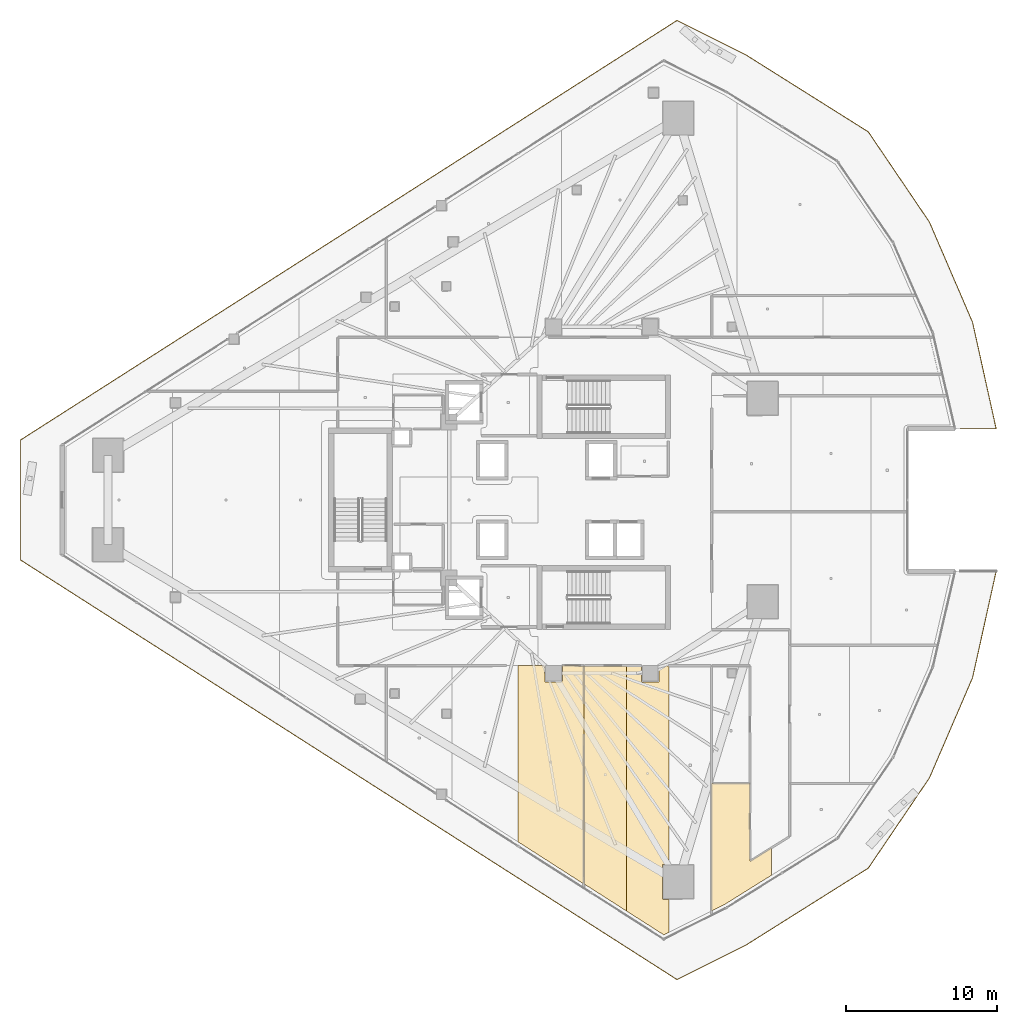
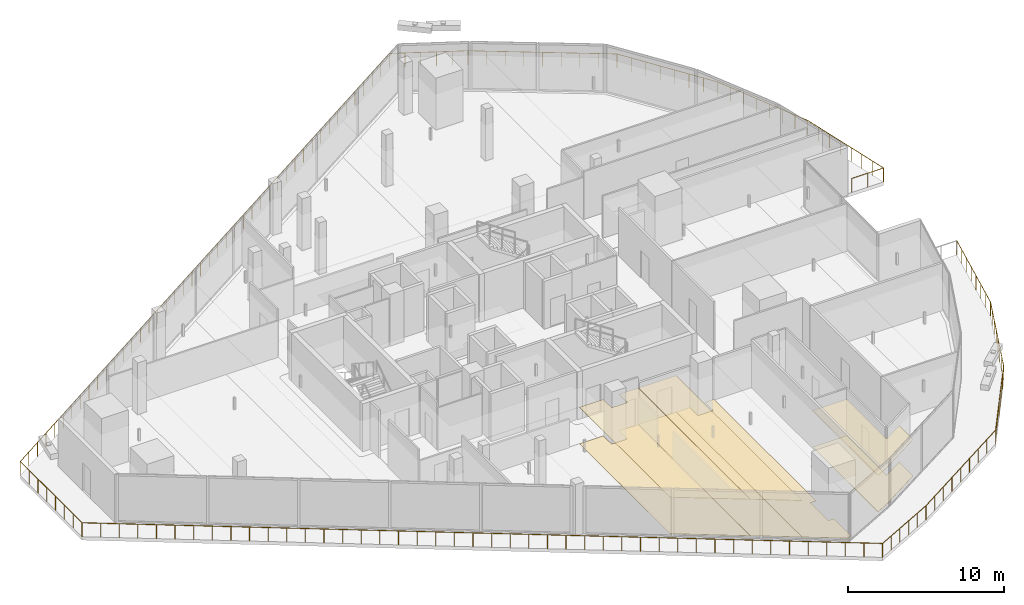
# One storey, part 32 of 36: 7 coverings, 1 railing.
"""IFC4 building model written with IfcOpenShell, lengths in metres."""

from ifc_helpers import new_model, si_unit, direction, frame, origin, origin_2d, place, context, subcontext, project, spatial, polyline, circle, outline, extrude, material, layer, layer_set, type_object, element, save


model = new_model("IFC4")

# Units and contexts
model_context = context("Model", 3, precision=1e-05, world=origin(), true_north=direction((0.0, 1.0)))
body_context = subcontext(model_context, "Body", "Model", "MODEL_VIEW")
ifc_project = project(units=[si_unit("LENGTHUNIT", "METRE"), si_unit("AREAUNIT", "SQUARE_METRE"), si_unit("VOLUMEUNIT", "CUBIC_METRE"), si_unit("PLANEANGLEUNIT", "RADIAN"), si_unit("MASSUNIT", "GRAM", prefix="KILO")], contexts=[model_context])

# Site, building, storey
site_placement = place(None, origin())
site = spatial("IfcSite", under=ifc_project, at=site_placement, CompositionType="ELEMENT")
building_placement = place(site_placement, origin())
building = spatial("IfcBuilding", under=site, at=building_placement, Name="Qorvath Tower", CompositionType="ELEMENT")
storey_placement = place(building_placement, frame((0.0, 0.0, 170.550048828125)))
storey = spatial("IfcBuildingStorey", under=building, at=storey_placement, Name="L39", CompositionType="ELEMENT", Elevation=170.550048828125)

# Coverings
ifc_material_1 = material(Name="Acoustic mineral fibre ceiling tile", Category="gypsum")
ifc_layer_1 = layer(ifc_material_1, 0.030029296875)
ifc_layer_set_1 = layer_set([ifc_layer_1], Name="COV-CEIL")
covering_type_1 = type_object("IfcCoveringType", Name="COV-CEIL", PredefinedType="CEILING", material=ifc_layer_set_1)
covering_1_placement = place(storey_placement, frame((0.0, 0.0, 2.849853515625)))
element("IfcCovering", 1, at=covering_1_placement, inside=storey, type_object=covering_type_1, Name="L39 Suspended Acoustic Ceiling 015", PredefinedType="CEILING", context=body_context, shape_type="SweptSolid", body=[
    extrude(outline(polyline([(-21.607177734375, -25.378173828125), (-21.5927734375, -10.962890625), (-23.014892578125, -10.943603515625), (-23.014892578125, -11.97509765625), (-23.074951171875, -12.034912109375), (-24.16748046875, -12.017333984375), (-24.18505859375, -10.94384765625), (-25.943603515625, -10.947021484375), (-25.943603515625, -22.598388671875), (-21.607177734375, -25.378173828125)])), origin(), (0.0, 0.0, 1.0), 0.030029296875),
])
covering_2_placement = place(storey_placement, frame((0.0, 0.0, 2.849853515625)))
element("IfcCovering", 2, at=covering_2_placement, inside=storey, type_object=covering_type_1, Name="L39 Suspended Acoustic Ceiling 016", PredefinedType="CEILING", context=body_context, shape_type="SweptSolid", body=[
    extrude(outline(polyline([(-18.77783203125, -27.16943359375), (-18.77783203125, -10.962890625), (-21.574951171875, -10.962890625), (-21.589111328125, -25.37255859375), (-18.77783203125, -27.16943359375)])), origin(), (0.0, 0.0, 1.0), 0.030029296875),
])
covering_3_placement = place(storey_placement, frame((0.0, 0.0, 2.849853515625)))
element("IfcCovering", 3, at=covering_3_placement, inside=storey, type_object=covering_type_1, Name="L39 Suspended Acoustic Ceiling 019", PredefinedType="CEILING", context=body_context, shape_type="SweptSolid", body=[
    extrude(outline(polyline([(-13.136962890625, -18.7490234375), (-13.136962890625, -27.16796875), (-12.29443359375, -26.74658203125), (-9.174072265625, -24.7998046875), (-9.174072265625, -22.991943359375), (-10.608642578125, -23.8876953125), (-10.613037109375, -18.7490234375), (-13.136962890625, -18.7490234375)])), origin(), (0.0, 0.0, 1.0), 0.030029296875),
])
ifc_material_2 = material(Name="Low-VOC modular carpet tile", Category="textile")
ifc_layer_2 = layer(ifc_material_2, 0.014892578125)
ifc_layer_set_2 = layer_set([ifc_layer_2], Name="COV-FLOOR-CPT")
covering_type_2 = type_object("IfcCoveringType", Name="COV-FLOOR-CPT", PredefinedType="FLOORING", material=ifc_layer_set_2)
covering_4_placement = place(storey_placement, origin())
element("IfcCovering", 4, at=covering_4_placement, inside=storey, type_object=covering_type_2, Name="L39 Floor Finish 015", PredefinedType="FLOORING", context=body_context, shape_type="SweptSolid", body=[
    extrude(outline(polyline([(-21.607177734375, -25.378173828125), (-21.5927734375, -10.962890625), (-23.014892578125, -10.943603515625), (-23.014892578125, -11.97509765625), (-23.074951171875, -12.034912109375), (-24.16748046875, -12.017333984375), (-24.18505859375, -10.94384765625), (-25.943603515625, -10.947021484375), (-25.943603515625, -22.598388671875), (-21.607177734375, -25.378173828125)])), origin(), (0.0, 0.0, 1.0), 0.014892578125),
])
covering_5_placement = place(storey_placement, origin())
element("IfcCovering", 5, at=covering_5_placement, inside=storey, type_object=covering_type_2, Name="L39 Floor Finish 016", PredefinedType="FLOORING", context=body_context, shape_type="SweptSolid", body=[
    extrude(outline(polyline([(-18.77783203125, -27.16943359375), (-18.77783203125, -10.962890625), (-21.574951171875, -10.962890625), (-21.589111328125, -25.37255859375), (-18.77783203125, -27.16943359375)])), origin(), (0.0, 0.0, 1.0), 0.014892578125),
])
covering_6_placement = place(storey_placement, origin())
element("IfcCovering", 6, at=covering_6_placement, inside=storey, type_object=covering_type_2, Name="L39 Floor Finish 017", PredefinedType="FLOORING", context=body_context, shape_type="SweptSolid", body=[
    extrude(outline(polyline([(-15.96630859375, -28.58251953125), (-15.96630859375, -26.40283203125), (-16.34423828125, -26.406005859375), (-16.404296875, -26.34619140625), (-16.38671875, -24.103759765625), (-15.96630859375, -24.103759765625), (-15.96630859375, -10.962890625), (-16.614990234375, -10.962890625), (-16.632568359375, -12.017333984375), (-17.72509765625, -12.034912109375), (-17.784912109375, -11.97509765625), (-17.784912109375, -10.962890625), (-18.77783203125, -10.962890625), (-18.77783203125, -27.16943359375), (-16.30322265625, -28.7509765625), (-15.96630859375, -28.58251953125)])), origin(), (0.0, 0.0, 1.0), 0.014892578125),
])
covering_7_placement = place(storey_placement, origin())
element("IfcCovering", 7, at=covering_7_placement, inside=storey, type_object=covering_type_2, Name="L39 Floor Finish 019", PredefinedType="FLOORING", context=body_context, shape_type="SweptSolid", body=[
    extrude(outline(polyline([(-13.136962890625, -18.7490234375), (-13.136962890625, -27.16796875), (-12.29443359375, -26.74658203125), (-9.174072265625, -24.7998046875), (-9.174072265625, -22.991943359375), (-10.608642578125, -23.8876953125), (-10.613037109375, -18.7490234375), (-13.136962890625, -18.7490234375)])), origin(), (0.0, 0.0, 1.0), 0.014892578125),
])

# Railing
ifc_material_3 = material(Name="Laminated safety glass and stainless steel AISI 316", Category="steel")
railing_type = type_object("IfcRailingType", Name="RL-EXT-GRD", PredefinedType="GUARDRAIL", material=ifc_material_3)
railing_placement = place(storey_placement, frame((5.671630859375, -4.708740234375, 0.0)))
element("IfcRailing", 8, at=railing_placement, inside=storey, type_object=railing_type, Name="Loggia Perimeter Guardrail L39-1.1", PredefinedType="GUARDRAIL", context=body_context, shape_type="SweptSolid", body=[
    extrude(circle(Radius=0.02392578125, at=origin_2d()), frame((0.0, 0.0, 1.09619140625), z_axis=(-0.216084314654, -0.976374707252, 0.0), x_axis=(0.976374707252, -0.216084314654, 0.0)), (0.0, 0.0, 1.0), 7.210693359375),
    extrude(circle(Radius=0.02392578125, at=origin_2d()), frame((-1.55810546875, -7.040283203125, 1.09619140625), z_axis=(-0.395496037293, -0.918467682875, 0.0), x_axis=(0.918467682875, -0.395496037293, 0.0)), (0.0, 0.0, 1.0), 7.210693359375),
    extrude(circle(Radius=0.02392578125, at=origin_2d()), frame((-4.409912109375, -13.6630859375, 1.09619140625), z_axis=(-0.560803224687, -0.827949118715, 0.0), x_axis=(0.827949118715, -0.560803224687, 0.0)), (0.0, 0.0, 1.0), 7.21044921875),
    extrude(circle(Radius=0.02392578125, at=origin_2d()), frame((-8.45361328125, -19.633056640625, 1.09619140625), z_axis=(-0.846488699048, -0.532406688898, 0.0), x_axis=(0.532406688898, -0.846488699048, 0.0)), (0.0, 0.0, 1.0), 9.5888671875),
    extrude(circle(Radius=0.02392578125, at=origin_2d()), frame((-16.570556640625, -24.73828125, 1.09619140625), z_axis=(-0.894427191, -0.4472135955, 0.0), x_axis=(0.4472135955, -0.894427191, 0.0)), (0.0, 0.0, 1.0), 5.06494140625),
    extrude(circle(Radius=0.02392578125, at=origin_2d()), frame((-21.100830078125, -27.00341796875, 1.09619140625), z_axis=(-0.842603748343, 0.538534050249, 0.0), x_axis=(-0.538534050249, -0.842603748343, 0.0)), (0.0, 0.0, 1.0), 51.525146484375),
    extrude(circle(Radius=0.02392578125, at=origin_2d()), frame((-64.51611328125, 0.74462890625, 1.09619140625), z_axis=(0.0, 1.0, 0.0), x_axis=(-1.0, 0.0, 0.0)), (0.0, 0.0, 1.0), 7.92822265625),
    extrude(circle(Radius=0.02392578125, at=origin_2d()), frame((-64.51611328125, 8.6728515625, 1.09619140625), z_axis=(0.842603748343, 0.538534050249, 0.0), x_axis=(-0.538534050249, 0.842603748343, 0.0)), (0.0, 0.0, 1.0), 51.525146484375),
    extrude(circle(Radius=0.02392578125, at=origin_2d()), frame((-21.100830078125, 36.4208984375, 1.09619140625), z_axis=(0.894427191, -0.4472135955, 0.0), x_axis=(0.4472135955, 0.894427191, 0.0)), (0.0, 0.0, 1.0), 5.06494140625),
    extrude(circle(Radius=0.02392578125, at=origin_2d()), frame((-16.570556640625, 34.15576171875, 1.09619140625), z_axis=(0.846488699048, -0.532406688898, 0.0), x_axis=(0.532406688898, 0.846488699048, 0.0)), (0.0, 0.0, 1.0), 9.5888671875),
    extrude(circle(Radius=0.02392578125, at=origin_2d()), frame((-8.45361328125, 29.050537109375, 1.09619140625), z_axis=(0.560803224687, -0.827949118715, 0.0), x_axis=(0.827949118715, 0.560803224687, 0.0)), (0.0, 0.0, 1.0), 7.21044921875),
    extrude(circle(Radius=0.02392578125, at=origin_2d()), frame((-4.409912109375, 23.08056640625, 1.09619140625), z_axis=(0.395496037293, -0.918467682875, 0.0), x_axis=(0.918467682875, 0.395496037293, 0.0)), (0.0, 0.0, 1.0), 7.210693359375),
    extrude(circle(Radius=0.02392578125, at=origin_2d()), frame((-1.55810546875, 16.457763671875, 1.09619140625), z_axis=(0.216084314654, -0.976374707252, 0.0), x_axis=(0.976374707252, 0.216084314654, 0.0)), (0.0, 0.0, 1.0), 7.210693359375),
    extrude(circle(Radius=0.02392578125, at=origin_2d()), frame((0.0, 9.41748046875, 1.09619140625), z_axis=(-1.0, 0.0, 0.0), x_axis=(0.0, -1.0, 0.0)), (0.0, 0.0, 1.0), 2.36669921875),
    extrude(circle(Radius=0.02099609375, at=origin_2d()), origin(), (0.0, 0.0, 1.0), 1.072021484375),
    extrude(circle(Radius=0.02099609375, at=origin_2d()), frame((-0.22265625, -1.005859375, 0.0)), (0.0, 0.0, 1.0), 1.072021484375),
    extrude(circle(Radius=0.02099609375, at=origin_2d()), frame((-0.445068359375, -2.011474609375, 0.0)), (0.0, 0.0, 1.0), 1.072021484375),
    extrude(circle(Radius=0.02099609375, at=origin_2d()), frame((-0.667724609375, -3.017333984375, 0.0)), (0.0, 0.0, 1.0), 1.072021484375),
    extrude(circle(Radius=0.02099609375, at=origin_2d()), frame((-0.890380859375, -4.02294921875, 0.0)), (0.0, 0.0, 1.0), 1.072021484375),
    extrude(circle(Radius=0.02099609375, at=origin_2d()), frame((-1.113037109375, -5.02880859375, 0.0)), (0.0, 0.0, 1.0), 1.072021484375),
    extrude(circle(Radius=0.02099609375, at=origin_2d()), frame((-1.33544921875, -6.034423828125, 0.0)), (0.0, 0.0, 1.0), 1.072021484375),
    extrude(circle(Radius=0.02099609375, at=origin_2d()), frame((-1.55810546875, -7.040283203125, 0.0)), (0.0, 0.0, 1.0), 1.072021484375),
    extrude(circle(Radius=0.02099609375, at=origin_2d()), frame((-1.965576171875, -7.986328125, 0.0)), (0.0, 0.0, 1.0), 1.072021484375),
    extrude(circle(Radius=0.02099609375, at=origin_2d()), frame((-2.372802734375, -8.9326171875, 0.0)), (0.0, 0.0, 1.0), 1.072021484375),
    extrude(circle(Radius=0.02099609375, at=origin_2d()), frame((-2.7802734375, -9.878662109375, 0.0)), (0.0, 0.0, 1.0), 1.072021484375),
    extrude(circle(Radius=0.02099609375, at=origin_2d()), frame((-3.187744140625, -10.82470703125, 0.0)), (0.0, 0.0, 1.0), 1.072021484375),
    extrude(circle(Radius=0.02099609375, at=origin_2d()), frame((-3.59521484375, -11.770751953125, 0.0)), (0.0, 0.0, 1.0), 1.072021484375),
    extrude(circle(Radius=0.02099609375, at=origin_2d()), frame((-4.00244140625, -12.717041015625, 0.0)), (0.0, 0.0, 1.0), 1.072021484375),
    extrude(circle(Radius=0.02099609375, at=origin_2d()), frame((-4.409912109375, -13.6630859375, 0.0)), (0.0, 0.0, 1.0), 1.072021484375),
    extrude(circle(Radius=0.02099609375, at=origin_2d()), frame((-4.987548828125, -14.515869140625, 0.0)), (0.0, 0.0, 1.0), 1.072021484375),
    extrude(circle(Radius=0.02099609375, at=origin_2d()), frame((-5.565185546875, -15.368896484375, 0.0)), (0.0, 0.0, 1.0), 1.072021484375),
    extrude(circle(Radius=0.02099609375, at=origin_2d()), frame((-6.142822265625, -16.2216796875, 0.0)), (0.0, 0.0, 1.0), 1.072021484375),
    extrude(circle(Radius=0.02099609375, at=origin_2d()), frame((-6.720703125, -17.074462890625, 0.0)), (0.0, 0.0, 1.0), 1.072021484375),
    extrude(circle(Radius=0.02099609375, at=origin_2d()), frame((-7.29833984375, -17.92724609375, 0.0)), (0.0, 0.0, 1.0), 1.072021484375),
    extrude(circle(Radius=0.02099609375, at=origin_2d()), frame((-7.8759765625, -18.7802734375, 0.0)), (0.0, 0.0, 1.0), 1.072021484375),
    extrude(circle(Radius=0.02099609375, at=origin_2d()), frame((-8.45361328125, -19.633056640625, 0.0)), (0.0, 0.0, 1.0), 1.072021484375),
    extrude(circle(Radius=0.02099609375, at=origin_2d()), frame((-9.46826171875, -20.271240234375, 0.0)), (0.0, 0.0, 1.0), 1.072021484375),
    extrude(circle(Radius=0.02099609375, at=origin_2d()), frame((-10.48291015625, -20.909423828125, 0.0)), (0.0, 0.0, 1.0), 1.072021484375),
    extrude(circle(Radius=0.02099609375, at=origin_2d()), frame((-11.49755859375, -21.547607421875, 0.0)), (0.0, 0.0, 1.0), 1.072021484375),
    extrude(circle(Radius=0.02099609375, at=origin_2d()), frame((-12.51220703125, -22.185546875, 0.0)), (0.0, 0.0, 1.0), 1.072021484375),
    extrude(circle(Radius=0.02099609375, at=origin_2d()), frame((-13.526611328125, -22.82373046875, 0.0)), (0.0, 0.0, 1.0), 1.072021484375),
    extrude(circle(Radius=0.02099609375, at=origin_2d()), frame((-14.541259765625, -23.4619140625, 0.0)), (0.0, 0.0, 1.0), 1.072021484375),
    extrude(circle(Radius=0.02099609375, at=origin_2d()), frame((-15.555908203125, -24.10009765625, 0.0)), (0.0, 0.0, 1.0), 1.072021484375),
    extrude(circle(Radius=0.02099609375, at=origin_2d()), frame((-16.570556640625, -24.73828125, 0.0)), (0.0, 0.0, 1.0), 1.072021484375),
    extrude(circle(Radius=0.02099609375, at=origin_2d()), frame((-17.4765625, -25.19140625, 0.0)), (0.0, 0.0, 1.0), 1.072021484375),
    extrude(circle(Radius=0.02099609375, at=origin_2d()), frame((-18.382568359375, -25.644287109375, 0.0)), (0.0, 0.0, 1.0), 1.072021484375),
    extrude(circle(Radius=0.02099609375, at=origin_2d()), frame((-19.288818359375, -26.097412109375, 0.0)), (0.0, 0.0, 1.0), 1.072021484375),
    extrude(circle(Radius=0.02099609375, at=origin_2d()), frame((-20.19482421875, -26.55029296875, 0.0)), (0.0, 0.0, 1.0), 1.072021484375),
    extrude(circle(Radius=0.02099609375, at=origin_2d()), frame((-21.100830078125, -27.00341796875, 0.0)), (0.0, 0.0, 1.0), 1.072021484375),
    extrude(circle(Radius=0.02099609375, at=origin_2d()), frame((-22.110595703125, -26.358154296875, 0.0)), (0.0, 0.0, 1.0), 1.072021484375),
    extrude(circle(Radius=0.02099609375, at=origin_2d()), frame((-23.1201171875, -25.712890625, 0.0)), (0.0, 0.0, 1.0), 1.072021484375),
    extrude(circle(Radius=0.02099609375, at=origin_2d()), frame((-24.1298828125, -25.067626953125, 0.0)), (0.0, 0.0, 1.0), 1.072021484375),
    extrude(circle(Radius=0.02099609375, at=origin_2d()), frame((-25.139404296875, -24.422119140625, 0.0)), (0.0, 0.0, 1.0), 1.072021484375),
    extrude(circle(Radius=0.02099609375, at=origin_2d()), frame((-26.149169921875, -23.77685546875, 0.0)), (0.0, 0.0, 1.0), 1.072021484375),
    extrude(circle(Radius=0.02099609375, at=origin_2d()), frame((-27.15869140625, -23.131591796875, 0.0)), (0.0, 0.0, 1.0), 1.072021484375),
    extrude(circle(Radius=0.02099609375, at=origin_2d()), frame((-28.16845703125, -22.486328125, 0.0)), (0.0, 0.0, 1.0), 1.072021484375),
    extrude(circle(Radius=0.02099609375, at=origin_2d()), frame((-29.177978515625, -21.841064453125, 0.0)), (0.0, 0.0, 1.0), 1.072021484375),
    extrude(circle(Radius=0.02099609375, at=origin_2d()), frame((-30.187744140625, -21.19580078125, 0.0)), (0.0, 0.0, 1.0), 1.072021484375),
    extrude(circle(Radius=0.02099609375, at=origin_2d()), frame((-31.197509765625, -20.55029296875, 0.0)), (0.0, 0.0, 1.0), 1.072021484375),
    extrude(circle(Radius=0.02099609375, at=origin_2d()), frame((-32.20703125, -19.905029296875, 0.0)), (0.0, 0.0, 1.0), 1.072021484375),
    extrude(circle(Radius=0.02099609375, at=origin_2d()), frame((-33.216796875, -19.259765625, 0.0)), (0.0, 0.0, 1.0), 1.072021484375),
    extrude(circle(Radius=0.02099609375, at=origin_2d()), frame((-34.226318359375, -18.614501953125, 0.0)), (0.0, 0.0, 1.0), 1.072021484375),
    extrude(circle(Radius=0.02099609375, at=origin_2d()), frame((-35.236083984375, -17.96923828125, 0.0)), (0.0, 0.0, 1.0), 1.072021484375),
    extrude(circle(Radius=0.02099609375, at=origin_2d()), frame((-36.24560546875, -17.323974609375, 0.0)), (0.0, 0.0, 1.0), 1.072021484375),
    extrude(circle(Radius=0.02099609375, at=origin_2d()), frame((-37.25537109375, -16.678466796875, 0.0)), (0.0, 0.0, 1.0), 1.072021484375),
    extrude(circle(Radius=0.02099609375, at=origin_2d()), frame((-38.264892578125, -16.033203125, 0.0)), (0.0, 0.0, 1.0), 1.072021484375),
    extrude(circle(Radius=0.02099609375, at=origin_2d()), frame((-39.274658203125, -15.387939453125, 0.0)), (0.0, 0.0, 1.0), 1.072021484375),
    extrude(circle(Radius=0.02099609375, at=origin_2d()), frame((-40.284423828125, -14.74267578125, 0.0)), (0.0, 0.0, 1.0), 1.072021484375),
    extrude(circle(Radius=0.02099609375, at=origin_2d()), frame((-41.2939453125, -14.097412109375, 0.0)), (0.0, 0.0, 1.0), 1.072021484375),
    extrude(circle(Radius=0.02099609375, at=origin_2d()), frame((-42.3037109375, -13.4521484375, 0.0)), (0.0, 0.0, 1.0), 1.072021484375),
    extrude(circle(Radius=0.02099609375, at=origin_2d()), frame((-43.313232421875, -12.806640625, 0.0)), (0.0, 0.0, 1.0), 1.072021484375),
    extrude(circle(Radius=0.02099609375, at=origin_2d()), frame((-44.322998046875, -12.161376953125, 0.0)), (0.0, 0.0, 1.0), 1.072021484375),
    extrude(circle(Radius=0.02099609375, at=origin_2d()), frame((-45.33251953125, -11.51611328125, 0.0)), (0.0, 0.0, 1.0), 1.072021484375),
    extrude(circle(Radius=0.02099609375, at=origin_2d()), frame((-46.34228515625, -10.870849609375, 0.0)), (0.0, 0.0, 1.0), 1.072021484375),
    extrude(circle(Radius=0.02099609375, at=origin_2d()), frame((-47.35205078125, -10.2255859375, 0.0)), (0.0, 0.0, 1.0), 1.072021484375),
    extrude(circle(Radius=0.02099609375, at=origin_2d()), frame((-48.361572265625, -9.580322265625, 0.0)), (0.0, 0.0, 1.0), 1.072021484375),
    extrude(circle(Radius=0.02099609375, at=origin_2d()), frame((-49.371337890625, -8.934814453125, 0.0)), (0.0, 0.0, 1.0), 1.072021484375),
    extrude(circle(Radius=0.02099609375, at=origin_2d()), frame((-50.380859375, -8.28955078125, 0.0)), (0.0, 0.0, 1.0), 1.072021484375),
    extrude(circle(Radius=0.02099609375, at=origin_2d()), frame((-51.390625, -7.644287109375, 0.0)), (0.0, 0.0, 1.0), 1.072021484375),
    extrude(circle(Radius=0.02099609375, at=origin_2d()), frame((-52.400146484375, -6.9990234375, 0.0)), (0.0, 0.0, 1.0), 1.072021484375),
    extrude(circle(Radius=0.02099609375, at=origin_2d()), frame((-53.409912109375, -6.353759765625, 0.0)), (0.0, 0.0, 1.0), 1.072021484375),
    extrude(circle(Radius=0.02099609375, at=origin_2d()), frame((-54.41943359375, -5.70849609375, 0.0)), (0.0, 0.0, 1.0), 1.072021484375),
    extrude(circle(Radius=0.02099609375, at=origin_2d()), frame((-55.42919921875, -5.06298828125, 0.0)), (0.0, 0.0, 1.0), 1.072021484375),
    extrude(circle(Radius=0.02099609375, at=origin_2d()), frame((-56.43896484375, -4.417724609375, 0.0)), (0.0, 0.0, 1.0), 1.072021484375),
    extrude(circle(Radius=0.02099609375, at=origin_2d()), frame((-57.448486328125, -3.7724609375, 0.0)), (0.0, 0.0, 1.0), 1.072021484375),
    extrude(circle(Radius=0.02099609375, at=origin_2d()), frame((-58.458251953125, -3.127197265625, 0.0)), (0.0, 0.0, 1.0), 1.072021484375),
    extrude(circle(Radius=0.02099609375, at=origin_2d()), frame((-59.4677734375, -2.48193359375, 0.0)), (0.0, 0.0, 1.0), 1.072021484375),
    extrude(circle(Radius=0.02099609375, at=origin_2d()), frame((-60.4775390625, -1.836669921875, 0.0)), (0.0, 0.0, 1.0), 1.072021484375),
    extrude(circle(Radius=0.02099609375, at=origin_2d()), frame((-61.487060546875, -1.191162109375, 0.0)), (0.0, 0.0, 1.0), 1.072021484375),
    extrude(circle(Radius=0.02099609375, at=origin_2d()), frame((-62.496826171875, -0.5458984375, 0.0)), (0.0, 0.0, 1.0), 1.072021484375),
    extrude(circle(Radius=0.02099609375, at=origin_2d()), frame((-63.50634765625, 0.099365234375, 0.0)), (0.0, 0.0, 1.0), 1.072021484375),
    extrude(circle(Radius=0.02099609375, at=origin_2d()), frame((-64.51611328125, 0.74462890625, 0.0)), (0.0, 0.0, 1.0), 1.072021484375),
    extrude(circle(Radius=0.02099609375, at=origin_2d()), frame((-64.51611328125, 1.877197265625, 0.0)), (0.0, 0.0, 1.0), 1.072021484375),
    extrude(circle(Radius=0.02099609375, at=origin_2d()), frame((-64.51611328125, 3.009765625, 0.0)), (0.0, 0.0, 1.0), 1.072021484375),
    extrude(circle(Radius=0.02099609375, at=origin_2d()), frame((-64.51611328125, 4.142333984375, 0.0)), (0.0, 0.0, 1.0), 1.072021484375),
    extrude(circle(Radius=0.02099609375, at=origin_2d()), frame((-64.51611328125, 5.275146484375, 0.0)), (0.0, 0.0, 1.0), 1.072021484375),
    extrude(circle(Radius=0.02099609375, at=origin_2d()), frame((-64.51611328125, 6.40771484375, 0.0)), (0.0, 0.0, 1.0), 1.072021484375),
    extrude(circle(Radius=0.02099609375, at=origin_2d()), frame((-64.51611328125, 7.540283203125, 0.0)), (0.0, 0.0, 1.0), 1.072021484375),
    extrude(circle(Radius=0.02099609375, at=origin_2d()), frame((-64.51611328125, 8.6728515625, 0.0)), (0.0, 0.0, 1.0), 1.072021484375),
    extrude(circle(Radius=0.02099609375, at=origin_2d()), frame((-63.50634765625, 9.318115234375, 0.0)), (0.0, 0.0, 1.0), 1.072021484375),
    extrude(circle(Radius=0.02099609375, at=origin_2d()), frame((-62.496826171875, 9.96337890625, 0.0)), (0.0, 0.0, 1.0), 1.072021484375),
    extrude(circle(Radius=0.02099609375, at=origin_2d()), frame((-61.487060546875, 10.608642578125, 0.0)), (0.0, 0.0, 1.0), 1.072021484375),
    extrude(circle(Radius=0.02099609375, at=origin_2d()), frame((-60.4775390625, 11.254150390625, 0.0)), (0.0, 0.0, 1.0), 1.072021484375),
    extrude(circle(Radius=0.02099609375, at=origin_2d()), frame((-59.4677734375, 11.8994140625, 0.0)), (0.0, 0.0, 1.0), 1.072021484375),
    extrude(circle(Radius=0.02099609375, at=origin_2d()), frame((-58.458251953125, 12.544677734375, 0.0)), (0.0, 0.0, 1.0), 1.072021484375),
    extrude(circle(Radius=0.02099609375, at=origin_2d()), frame((-57.448486328125, 13.18994140625, 0.0)), (0.0, 0.0, 1.0), 1.072021484375),
    extrude(circle(Radius=0.02099609375, at=origin_2d()), frame((-56.43896484375, 13.835205078125, 0.0)), (0.0, 0.0, 1.0), 1.072021484375),
    extrude(circle(Radius=0.02099609375, at=origin_2d()), frame((-55.42919921875, 14.48046875, 0.0)), (0.0, 0.0, 1.0), 1.072021484375),
    extrude(circle(Radius=0.02099609375, at=origin_2d()), frame((-54.41943359375, 15.1259765625, 0.0)), (0.0, 0.0, 1.0), 1.072021484375),
    extrude(circle(Radius=0.02099609375, at=origin_2d()), frame((-53.409912109375, 15.771240234375, 0.0)), (0.0, 0.0, 1.0), 1.072021484375),
    extrude(circle(Radius=0.02099609375, at=origin_2d()), frame((-52.400146484375, 16.41650390625, 0.0)), (0.0, 0.0, 1.0), 1.072021484375),
    extrude(circle(Radius=0.02099609375, at=origin_2d()), frame((-51.390625, 17.061767578125, 0.0)), (0.0, 0.0, 1.0), 1.072021484375),
    extrude(circle(Radius=0.02099609375, at=origin_2d()), frame((-50.380859375, 17.70703125, 0.0)), (0.0, 0.0, 1.0), 1.072021484375),
    extrude(circle(Radius=0.02099609375, at=origin_2d()), frame((-49.371337890625, 18.352294921875, 0.0)), (0.0, 0.0, 1.0), 1.072021484375),
    extrude(circle(Radius=0.02099609375, at=origin_2d()), frame((-48.361572265625, 18.997802734375, 0.0)), (0.0, 0.0, 1.0), 1.072021484375),
    extrude(circle(Radius=0.02099609375, at=origin_2d()), frame((-47.35205078125, 19.64306640625, 0.0)), (0.0, 0.0, 1.0), 1.072021484375),
    extrude(circle(Radius=0.02099609375, at=origin_2d()), frame((-46.34228515625, 20.288330078125, 0.0)), (0.0, 0.0, 1.0), 1.072021484375),
    extrude(circle(Radius=0.02099609375, at=origin_2d()), frame((-45.33251953125, 20.93359375, 0.0)), (0.0, 0.0, 1.0), 1.072021484375),
    extrude(circle(Radius=0.02099609375, at=origin_2d()), frame((-44.322998046875, 21.578857421875, 0.0)), (0.0, 0.0, 1.0), 1.072021484375),
    extrude(circle(Radius=0.02099609375, at=origin_2d()), frame((-43.313232421875, 22.22412109375, 0.0)), (0.0, 0.0, 1.0), 1.072021484375),
    extrude(circle(Radius=0.02099609375, at=origin_2d()), frame((-42.3037109375, 22.86962890625, 0.0)), (0.0, 0.0, 1.0), 1.072021484375),
    extrude(circle(Radius=0.02099609375, at=origin_2d()), frame((-41.2939453125, 23.514892578125, 0.0)), (0.0, 0.0, 1.0), 1.072021484375),
    extrude(circle(Radius=0.02099609375, at=origin_2d()), frame((-40.284423828125, 24.16015625, 0.0)), (0.0, 0.0, 1.0), 1.072021484375),
    extrude(circle(Radius=0.02099609375, at=origin_2d()), frame((-39.274658203125, 24.805419921875, 0.0)), (0.0, 0.0, 1.0), 1.072021484375),
    extrude(circle(Radius=0.02099609375, at=origin_2d()), frame((-38.264892578125, 25.45068359375, 0.0)), (0.0, 0.0, 1.0), 1.072021484375),
    extrude(circle(Radius=0.02099609375, at=origin_2d()), frame((-37.25537109375, 26.095947265625, 0.0)), (0.0, 0.0, 1.0), 1.072021484375),
    extrude(circle(Radius=0.02099609375, at=origin_2d()), frame((-36.24560546875, 26.741455078125, 0.0)), (0.0, 0.0, 1.0), 1.072021484375),
    extrude(circle(Radius=0.02099609375, at=origin_2d()), frame((-35.236083984375, 27.38671875, 0.0)), (0.0, 0.0, 1.0), 1.072021484375),
    extrude(circle(Radius=0.02099609375, at=origin_2d()), frame((-34.226318359375, 28.031982421875, 0.0)), (0.0, 0.0, 1.0), 1.072021484375),
    extrude(circle(Radius=0.02099609375, at=origin_2d()), frame((-33.216796875, 28.67724609375, 0.0)), (0.0, 0.0, 1.0), 1.072021484375),
    extrude(circle(Radius=0.02099609375, at=origin_2d()), frame((-32.20703125, 29.322509765625, 0.0)), (0.0, 0.0, 1.0), 1.072021484375),
    extrude(circle(Radius=0.02099609375, at=origin_2d()), frame((-31.197509765625, 29.9677734375, 0.0)), (0.0, 0.0, 1.0), 1.072021484375),
    extrude(circle(Radius=0.02099609375, at=origin_2d()), frame((-30.187744140625, 30.61328125, 0.0)), (0.0, 0.0, 1.0), 1.072021484375),
    extrude(circle(Radius=0.02099609375, at=origin_2d()), frame((-29.177978515625, 31.258544921875, 0.0)), (0.0, 0.0, 1.0), 1.072021484375),
    extrude(circle(Radius=0.02099609375, at=origin_2d()), frame((-28.16845703125, 31.90380859375, 0.0)), (0.0, 0.0, 1.0), 1.072021484375),
    extrude(circle(Radius=0.02099609375, at=origin_2d()), frame((-27.15869140625, 32.549072265625, 0.0)), (0.0, 0.0, 1.0), 1.072021484375),
    extrude(circle(Radius=0.02099609375, at=origin_2d()), frame((-26.149169921875, 33.1943359375, 0.0)), (0.0, 0.0, 1.0), 1.072021484375),
    extrude(circle(Radius=0.02099609375, at=origin_2d()), frame((-25.139404296875, 33.839599609375, 0.0)), (0.0, 0.0, 1.0), 1.072021484375),
    extrude(circle(Radius=0.02099609375, at=origin_2d()), frame((-24.1298828125, 34.485107421875, 0.0)), (0.0, 0.0, 1.0), 1.072021484375),
    extrude(circle(Radius=0.02099609375, at=origin_2d()), frame((-23.1201171875, 35.13037109375, 0.0)), (0.0, 0.0, 1.0), 1.072021484375),
    extrude(circle(Radius=0.02099609375, at=origin_2d()), frame((-22.110595703125, 35.775634765625, 0.0)), (0.0, 0.0, 1.0), 1.072021484375),
    extrude(circle(Radius=0.02099609375, at=origin_2d()), frame((-21.100830078125, 36.4208984375, 0.0)), (0.0, 0.0, 1.0), 1.072021484375),
    extrude(circle(Radius=0.02099609375, at=origin_2d()), frame((-20.19482421875, 35.9677734375, 0.0)), (0.0, 0.0, 1.0), 1.072021484375),
    extrude(circle(Radius=0.02099609375, at=origin_2d()), frame((-19.288818359375, 35.514892578125, 0.0)), (0.0, 0.0, 1.0), 1.072021484375),
    extrude(circle(Radius=0.02099609375, at=origin_2d()), frame((-18.382568359375, 35.061767578125, 0.0)), (0.0, 0.0, 1.0), 1.072021484375),
    extrude(circle(Radius=0.02099609375, at=origin_2d()), frame((-17.4765625, 34.60888671875, 0.0)), (0.0, 0.0, 1.0), 1.072021484375),
    extrude(circle(Radius=0.02099609375, at=origin_2d()), frame((-16.570556640625, 34.15576171875, 0.0)), (0.0, 0.0, 1.0), 1.072021484375),
    extrude(circle(Radius=0.02099609375, at=origin_2d()), frame((-15.555908203125, 33.517578125, 0.0)), (0.0, 0.0, 1.0), 1.072021484375),
    extrude(circle(Radius=0.02099609375, at=origin_2d()), frame((-14.541259765625, 32.87939453125, 0.0)), (0.0, 0.0, 1.0), 1.072021484375),
    extrude(circle(Radius=0.02099609375, at=origin_2d()), frame((-13.526611328125, 32.2412109375, 0.0)), (0.0, 0.0, 1.0), 1.072021484375),
    extrude(circle(Radius=0.02099609375, at=origin_2d()), frame((-12.51220703125, 31.60302734375, 0.0)), (0.0, 0.0, 1.0), 1.072021484375),
    extrude(circle(Radius=0.02099609375, at=origin_2d()), frame((-11.49755859375, 30.965087890625, 0.0)), (0.0, 0.0, 1.0), 1.072021484375),
    extrude(circle(Radius=0.02099609375, at=origin_2d()), frame((-10.48291015625, 30.326904296875, 0.0)), (0.0, 0.0, 1.0), 1.072021484375),
    extrude(circle(Radius=0.02099609375, at=origin_2d()), frame((-9.46826171875, 29.688720703125, 0.0)), (0.0, 0.0, 1.0), 1.072021484375),
    extrude(circle(Radius=0.02099609375, at=origin_2d()), frame((-8.45361328125, 29.050537109375, 0.0)), (0.0, 0.0, 1.0), 1.072021484375),
    extrude(circle(Radius=0.02099609375, at=origin_2d()), frame((-7.8759765625, 28.19775390625, 0.0)), (0.0, 0.0, 1.0), 1.072021484375),
    extrude(circle(Radius=0.02099609375, at=origin_2d()), frame((-7.29833984375, 27.3447265625, 0.0)), (0.0, 0.0, 1.0), 1.072021484375),
    extrude(circle(Radius=0.02099609375, at=origin_2d()), frame((-6.720703125, 26.491943359375, 0.0)), (0.0, 0.0, 1.0), 1.072021484375),
    extrude(circle(Radius=0.02099609375, at=origin_2d()), frame((-6.142822265625, 25.63916015625, 0.0)), (0.0, 0.0, 1.0), 1.072021484375),
    extrude(circle(Radius=0.02099609375, at=origin_2d()), frame((-5.565185546875, 24.786376953125, 0.0)), (0.0, 0.0, 1.0), 1.072021484375),
    extrude(circle(Radius=0.02099609375, at=origin_2d()), frame((-4.987548828125, 23.933349609375, 0.0)), (0.0, 0.0, 1.0), 1.072021484375),
    extrude(circle(Radius=0.02099609375, at=origin_2d()), frame((-4.409912109375, 23.08056640625, 0.0)), (0.0, 0.0, 1.0), 1.072021484375),
    extrude(circle(Radius=0.02099609375, at=origin_2d()), frame((-4.00244140625, 22.134521484375, 0.0)), (0.0, 0.0, 1.0), 1.072021484375),
    extrude(circle(Radius=0.02099609375, at=origin_2d()), frame((-3.59521484375, 21.188232421875, 0.0)), (0.0, 0.0, 1.0), 1.072021484375),
    extrude(circle(Radius=0.02099609375, at=origin_2d()), frame((-3.187744140625, 20.2421875, 0.0)), (0.0, 0.0, 1.0), 1.072021484375),
    extrude(circle(Radius=0.02099609375, at=origin_2d()), frame((-2.7802734375, 19.296142578125, 0.0)), (0.0, 0.0, 1.0), 1.072021484375),
    extrude(circle(Radius=0.02099609375, at=origin_2d()), frame((-2.372802734375, 18.35009765625, 0.0)), (0.0, 0.0, 1.0), 1.072021484375),
    extrude(circle(Radius=0.02099609375, at=origin_2d()), frame((-1.965576171875, 17.40380859375, 0.0)), (0.0, 0.0, 1.0), 1.072021484375),
    extrude(circle(Radius=0.02099609375, at=origin_2d()), frame((-1.55810546875, 16.457763671875, 0.0)), (0.0, 0.0, 1.0), 1.072021484375),
    extrude(circle(Radius=0.02099609375, at=origin_2d()), frame((-1.33544921875, 15.451904296875, 0.0)), (0.0, 0.0, 1.0), 1.072021484375),
    extrude(circle(Radius=0.02099609375, at=origin_2d()), frame((-1.113037109375, 14.4462890625, 0.0)), (0.0, 0.0, 1.0), 1.072021484375),
    extrude(circle(Radius=0.02099609375, at=origin_2d()), frame((-0.890380859375, 13.4404296875, 0.0)), (0.0, 0.0, 1.0), 1.072021484375),
    extrude(circle(Radius=0.02099609375, at=origin_2d()), frame((-0.667724609375, 12.434814453125, 0.0)), (0.0, 0.0, 1.0), 1.072021484375),
    extrude(circle(Radius=0.02099609375, at=origin_2d()), frame((-0.445068359375, 11.428955078125, 0.0)), (0.0, 0.0, 1.0), 1.072021484375),
    extrude(circle(Radius=0.02099609375, at=origin_2d()), frame((-0.22265625, 10.42333984375, 0.0)), (0.0, 0.0, 1.0), 1.072021484375),
    extrude(circle(Radius=0.02099609375, at=origin_2d()), frame((0.0, 9.41748046875, 0.0)), (0.0, 0.0, 1.0), 1.072021484375),
    extrude(circle(Radius=0.02099609375, at=origin_2d()), frame((-1.183349609375, 9.41748046875, 0.0)), (0.0, 0.0, 1.0), 1.072021484375),
    extrude(circle(Radius=0.02099609375, at=origin_2d()), frame((-2.36669921875, 9.41748046875, 0.0)), (0.0, 0.0, 1.0), 1.072021484375),
])

save(model, "model.ifc")
